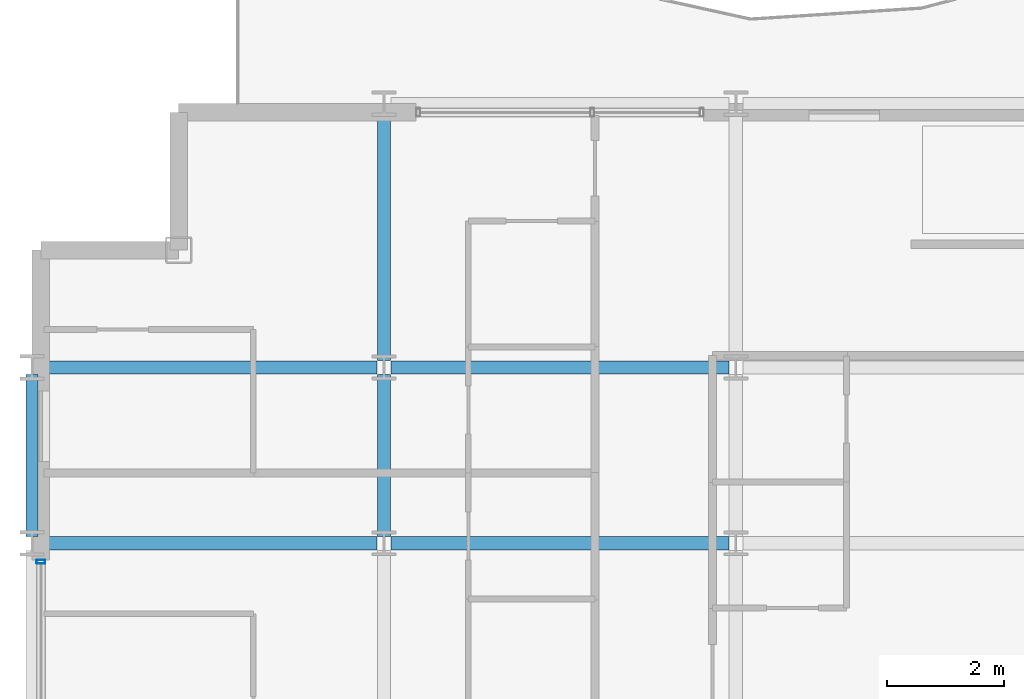
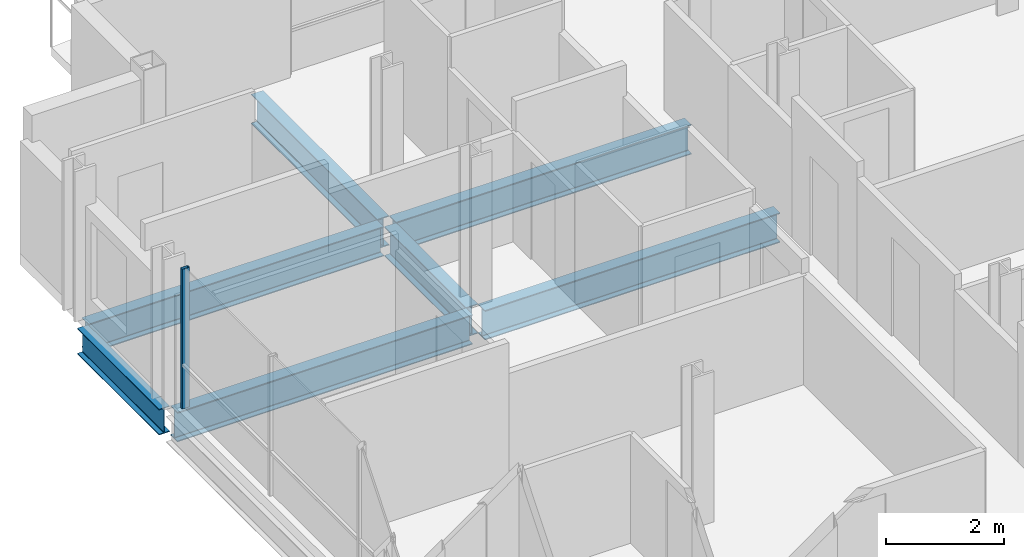
# One storey, part 7 of 41: 7 beams, 1 member, 1 element without a shape of its own.
"""IFC4 building model written with IfcOpenShell, lengths in metres."""

from ifc_helpers import new_model, si_unit, direction, frame, origin, origin_2d, place, context, subcontext, project, spatial, hollow_rectangle, i_section, extrude, material, layer, layer_set, material_profile, profile_set, type_object, element, aggregate, save


model = new_model("IFC4")

# Units and contexts
model_context = context("Model", 3, precision=1e-05, world=origin(), true_north=direction((0.0, 1.0)))
body_context = subcontext(model_context, "Body", "Model", "MODEL_VIEW")
ifc_project = project(units=[si_unit("LENGTHUNIT", "METRE"), si_unit("AREAUNIT", "SQUARE_METRE"), si_unit("VOLUMEUNIT", "CUBIC_METRE"), si_unit("PLANEANGLEUNIT", "RADIAN"), si_unit("MASSUNIT", "GRAM", prefix="KILO")], contexts=[model_context])

# Site, building, storey
site_placement = place(None, origin())
site = spatial("IfcSite", under=ifc_project, at=site_placement, CompositionType="ELEMENT")
building_placement = place(site_placement, origin())
building = spatial("IfcBuilding", under=site, at=building_placement, Name="Brevholm Reach", CompositionType="ELEMENT")
storey_placement = place(building_placement, frame((0.0, 0.0, 100.39990234375)))
storey = spatial("IfcBuildingStorey", under=building, at=storey_placement, Name="L29", CompositionType="ELEMENT", Elevation=100.39990234375)

# Beams
ifc_material_1 = material(Name="Structural Steel S355J2", Category="steel")
ifc_material_profile_1 = material_profile(ifc_material_1, i_section(OverallWidth=0.209228515625, OverallDepth=0.533203125, WebThickness=0.010009765625, FlangeThickness=0.015625, FilletRadius=0.0126953125, at=origin_2d()), Name="UKB 533x210x92")
ifc_profile_set_1 = profile_set([ifc_material_profile_1], Name="Structural Steel S355J2")
beam_type_1 = type_object("IfcBeamType", Name="BM-SP533", PredefinedType="SPANDREL", material=ifc_profile_set_1)
beam_1_placement = place(storey_placement, frame((0.0, 23.6201171875, -0.486572265625), z_axis=(0.0, 1.0, 0.0), x_axis=(-1.0, 0.0, 0.0)))
element("IfcBeam", 1, at=beam_1_placement, inside=storey, type_object=beam_type_1, Name="L29 SP-02 Framing Beam", PredefinedType="SPANDREL", context=body_context, shape_type="SweptSolid", body=[
    extrude(i_section(OverallWidth=0.209228515625, OverallDepth=0.533203125, WebThickness=0.010009765625, FlangeThickness=0.015625, FilletRadius=0.0126953125, at=origin_2d()), origin(), (0.0, 0.0, 1.0), 2.759765625),
])
ifc_material_2 = material(Name="Structural Steel S355J2", Category="steel")
ifc_material_profile_2 = material_profile(ifc_material_2, i_section(OverallWidth=0.22900390625, OverallDepth=0.6123046875, WebThickness=0.011962890625, FlangeThickness=0.01953125, FilletRadius=0.0126953125, at=origin_2d()), Name="UKB 610x229x125")
ifc_profile_set_2 = profile_set([ifc_material_profile_2], Name="Structural Steel S355J2")
beam_type_2 = type_object("IfcBeamType", Name="BM-SP610", PredefinedType="SPANDREL", material=ifc_profile_set_2)
for number, where, z_axis, x_axis, name in (
    (2, (0.1201171875, 23.5, -0.526123046875), (1.0, 0.0, 0.0), (0.0, 1.0, 0.0), "L29 SP-01 Framing Beam"),
    (3, (6.1201171875, 23.5, -0.526123046875), (1.0, 0.0, 0.0), (0.0, 1.0, 0.0), "L29 SP-01 Framing Beam"),
    (4, (0.1201171875, 26.5, -0.526123046875), (1.0, 0.0, 0.0), (0.0, 1.0, 0.0), "L29 SP-01 Framing Beam"),
    (5, (6.1201171875, 26.5, -0.526123046875), (1.0, 0.0, 0.0), (0.0, 1.0, 0.0), "L29 SP-01 Framing Beam"),
):
    element("IfcBeam", number, at=place(storey_placement, frame(where, z_axis=z_axis, x_axis=x_axis)), inside=storey, type_object=beam_type_2, Name=name, PredefinedType="SPANDREL", context=body_context, shape_type="SweptSolid", body=[
        extrude(i_section(OverallWidth=0.22900390625, OverallDepth=0.6123046875, WebThickness=0.011962890625, FlangeThickness=0.01953125, FilletRadius=0.0126953125, at=origin_2d()), origin(), (0.0, 0.0, 1.0), 5.759765625),
    ])
beam_2_placement = place(storey_placement, frame((6.0, 23.6201171875, -0.526123046875), z_axis=(0.0, 1.0, 0.0), x_axis=(-1.0, 0.0, 0.0)))
element("IfcBeam", 6, at=beam_2_placement, inside=storey, type_object=beam_type_2, Name="L29 SP-01 Framing Beam", PredefinedType="SPANDREL", context=body_context, shape_type="SweptSolid", body=[
    extrude(i_section(OverallWidth=0.22900390625, OverallDepth=0.6123046875, WebThickness=0.011962890625, FlangeThickness=0.01953125, FilletRadius=0.0126953125, at=origin_2d()), origin(), (0.0, 0.0, 1.0), 2.759765625),
])
beam_3_placement = place(storey_placement, frame((6.0, 26.6201171875, -0.526123046875), z_axis=(0.0, 1.0, 0.0), x_axis=(-1.0, 0.0, 0.0)))
element("IfcBeam", 7, at=beam_3_placement, inside=storey, type_object=beam_type_2, Name="L29 SP-01 Framing Beam", PredefinedType="SPANDREL", context=body_context, shape_type="SweptSolid", body=[
    extrude(i_section(OverallWidth=0.22900390625, OverallDepth=0.6123046875, WebThickness=0.011962890625, FlangeThickness=0.01953125, FilletRadius=0.0126953125, at=origin_2d()), origin(), (0.0, 0.0, 1.0), 4.259765625),
])

# Curtain wall, member
ifc_material_3 = material(Name="Dark Anodised Aluminium 6063-T6 and Solar-Control Glass", Category="aluminium")
ifc_layer = layer(ifc_material_3, 0.14990234375)
ifc_layer_set = layer_set([ifc_layer], Name="Dark Anodised Aluminium 6063-T6 and Solar-Control Glass")
curtain_wall_type = type_object("IfcCurtainWallType", Name="CW-01", PredefinedType="NOTDEFINED", material=ifc_layer_set)
curtain_wall_placement = place(storey_placement, origin())
curtain_wall = element("IfcCurtainWall", 8, at=curtain_wall_placement, inside=storey, type_object=curtain_wall_type, Name="L29 Curtain Wall CW-01", PredefinedType="NOTDEFINED")
ifc_material_4 = material(Name="Dark Anodised Aluminium 6063-T6", Category="aluminium")
ifc_material_profile_3 = material_profile(ifc_material_4, hollow_rectangle(XDim=0.06494140625, YDim=0.14990234375, WallThickness=0.0048828125, InnerFilletRadius=0.0048828125, OuterFilletRadius=0.010009765625, at=origin_2d()), Name="RHS 150x65x5")
ifc_profile_set_3 = profile_set([ifc_material_profile_3], Name="Dark Anodised Aluminium 6063-T6")
member_type = type_object("IfcMemberType", Name="CWM-150", PredefinedType="MULLION", material=ifc_profile_set_3)
member_placement = place(storey_placement, frame((0.14990234375, 23.1875, 0.0), z_axis=(0.0, 0.0, 1.0), x_axis=(0.0, -1.0, 0.0)))
member = element("IfcMember", 9, at=member_placement, type_object=member_type, Name="CM-150 Mullion 1", PredefinedType="MULLION", context=body_context, shape_type="SweptSolid", body=[
    extrude(hollow_rectangle(XDim=0.06494140625, YDim=0.14990234375, WallThickness=0.0048828125, InnerFilletRadius=0.0048828125, OuterFilletRadius=0.010009765625, at=origin_2d()), origin(), (0.0, 0.0, 1.0), 2.880126953125),
])
aggregate(curtain_wall, [member])

save(model, "model.ifc")
